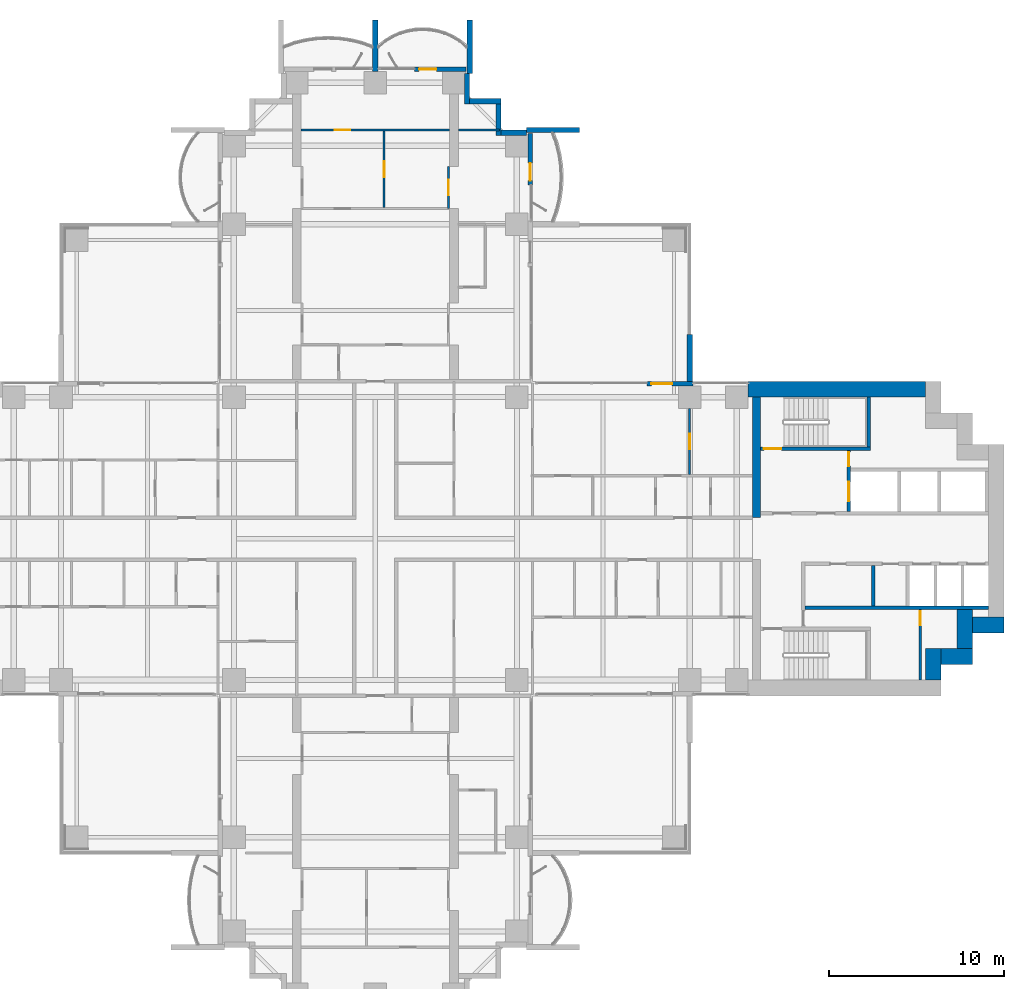
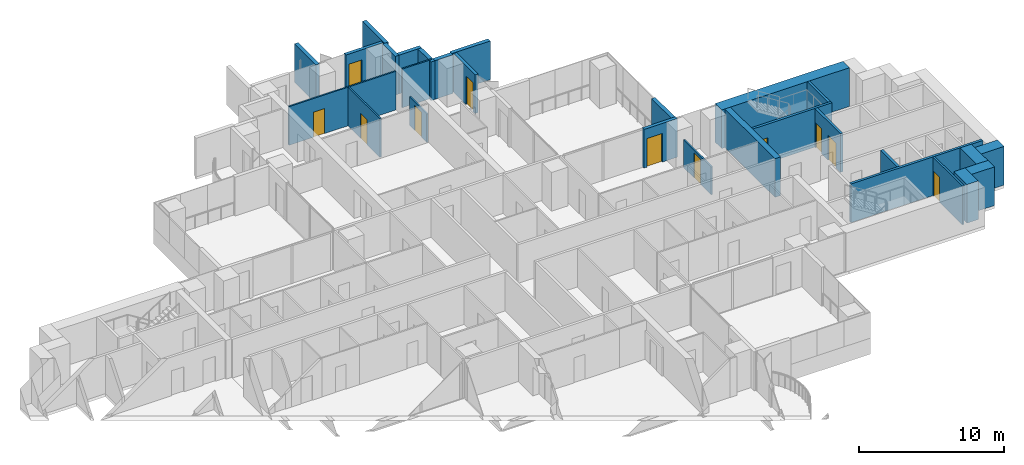
# One storey, part 15 of 20: 28 walls, 11 doors, 11 openings.
"""IFC4 building model written with IfcOpenShell, lengths in metres."""

from ifc_helpers import new_model, si_unit, direction, frame, frame_2d, origin, place, context, subcontext, project, spatial, rectangle, extrude, material, layer, layer_set, type_object, element, fill, save


model = new_model("IFC4")

# Units and contexts
model_context = context("Model", 3, precision=1e-05, world=origin(), true_north=direction((0.0, 1.0)))
body_context = subcontext(model_context, "Body", "Model", "MODEL_VIEW")
ifc_project = project(units=[si_unit("LENGTHUNIT", "METRE"), si_unit("AREAUNIT", "SQUARE_METRE"), si_unit("VOLUMEUNIT", "CUBIC_METRE"), si_unit("PLANEANGLEUNIT", "RADIAN"), si_unit("MASSUNIT", "GRAM", prefix="KILO")], contexts=[model_context])

# Site, building, storey
site_placement = place(None, origin())
site = spatial("IfcSite", under=ifc_project, at=site_placement, CompositionType="ELEMENT")
building_placement = place(site_placement, origin())
building = spatial("IfcBuilding", under=site, at=building_placement, Name="Perihelion Cross Residences", CompositionType="ELEMENT")
storey_placement = place(building_placement, frame((0.0, 0.0, 68.0)))
storey = spatial("IfcBuildingStorey", under=building, at=storey_placement, Name="L14", CompositionType="ELEMENT", Elevation=68.0)

# Wall, opening, door
ifc_material_1 = material(Name="Concrete C30/37, bronze-clad", Category="concrete")
ifc_layer_1 = layer(ifc_material_1, 0.25)
ifc_layer_set_1 = layer_set([ifc_layer_1], Name="Bronze-clad pier wall 250")
wall_type_1 = type_object("IfcWallType", Name="Bronze-clad pier wall 250", PredefinedType="SOLIDWALL", material=ifc_layer_set_1)
wall_1_placement = place(storey_placement, frame((18.199951171875, 8.875, 0.0), z_axis=(0.0, 0.0, 1.0), x_axis=(-1.0, 0.0, 0.0)))
wall_1 = element("IfcWall", 1, at=wall_1_placement, inside=storey, type_object=wall_type_1, Name="Wall FW1 L14 east side north bay 2 pier", PredefinedType="SOLIDWALL", context=body_context, shape_type="SweptSolid", body=[
    extrude(rectangle(XDim=2.64990234375, YDim=0.25, at=frame_2d((1.324951171875, 0.0))), origin(), (0.0, 0.0, 1.0), 3.25),
])
opening_1_placement = place(wall_1_placement, frame((1.199951171875, 0.0, 0.0)))
opening_1 = element("IfcOpeningElement", 2, at=opening_1_placement, cuts=wall_1, Name="Opening L14.E01", PredefinedType="OPENING", context=body_context, shape_type="SweptSolid", body=[
    extrude(rectangle(XDim=1.199951171875, YDim=2.39990234375, at=frame_2d((0.60009765625, 1.199951171875))), frame((0.0, 0.135009765625, 0.0), z_axis=(0.0, -1.0, 0.0), x_axis=(1.0, 0.0, 0.0)), (0.0, 0.0, 1.0), 0.27001953125),
])
ifc_material_2 = material(Name="Bronze anodised aluminium, glazed", Category="aluminium")
door_type_1 = type_object("IfcDoorType", Name="Balcony door 1200 x 2400", OperationType="NOTDEFINED", PredefinedType="DOOR", material=ifc_material_2)
door_1_placement = place(opening_1_placement, origin())
door_1 = element("IfcDoor", 3, at=door_1_placement, inside=storey, type_object=door_type_1, Name="Door L14.E01 east side north bay 2", OperationType="SINGLE_SWING_RIGHT", OverallHeight=2.39990234375, OverallWidth=1.199951171875, PredefinedType="DOOR", context=body_context, shape_type="SweptSolid", body=[
    extrude(rectangle(XDim=1.199951171875, YDim=2.39990234375, at=frame_2d((0.60009765625, 1.199951171875))), frame((0.0, 0.02490234375, 0.0), z_axis=(0.0, -1.0, 0.0), x_axis=(1.0, 0.0, 0.0)), (0.0, 0.0, 1.0), 0.050048828125),
])
fill(opening_1, door_1)

wall_2_placement = place(storey_placement, frame((8.875, 20.25, 0.0), z_axis=(0.0, 0.0, 1.0), x_axis=(0.0, 1.0, 0.0)))
wall_2 = element("IfcWall", 4, at=wall_2_placement, inside=storey, type_object=wall_type_1, Name="Wall FW1 L14 north side east bay 2 pier", PredefinedType="SOLIDWALL", context=body_context, shape_type="SweptSolid", body=[
    extrude(rectangle(XDim=2.949951171875, YDim=0.25, at=frame_2d((1.47509765625, 0.0))), origin(), (0.0, 0.0, 1.0), 3.25),
])
opening_2_placement = place(wall_2_placement, frame((0.25, 0.0, 0.0)))
opening_2 = element("IfcOpeningElement", 5, at=opening_2_placement, cuts=wall_2, Name="Opening L14.E03", PredefinedType="OPENING", context=body_context, shape_type="SweptSolid", body=[
    extrude(rectangle(XDim=1.0, YDim=2.39990234375, at=frame_2d((0.5, 1.199951171875))), frame((0.0, 0.135009765625, 0.0), z_axis=(0.0, -1.0, 0.0), x_axis=(1.0, 0.0, 0.0)), (0.0, 0.0, 1.0), 0.27001953125),
])
ifc_material_3 = material(Name="Bronze anodised aluminium, glazed", Category="aluminium")
door_type_2 = type_object("IfcDoorType", Name="Balcony door 1000 x 2400", OperationType="NOTDEFINED", PredefinedType="DOOR", material=ifc_material_3)
door_2_placement = place(opening_2_placement, origin())
door_2 = element("IfcDoor", 6, at=door_2_placement, inside=storey, type_object=door_type_2, Name="Door L14.E03 north side east bay 2", OperationType="SINGLE_SWING_RIGHT", OverallHeight=2.39990234375, OverallWidth=1.0, PredefinedType="DOOR", context=body_context, shape_type="SweptSolid", body=[
    extrude(rectangle(XDim=1.0, YDim=2.39990234375, at=frame_2d((0.5, 1.199951171875))), frame((0.0, 0.02490234375, 0.0), z_axis=(0.0, -1.0, 0.0), x_axis=(1.0, 0.0, 0.0)), (0.0, 0.0, 1.0), 0.050048828125),
])
fill(opening_2, door_2)

wall_3_placement = place(storey_placement, frame((5.199951171875, 26.875, 0.0), z_axis=(0.0, 0.0, 1.0), x_axis=(-1.0, 0.0, 0.0)))
wall_3 = element("IfcWall", 7, at=wall_3_placement, inside=storey, type_object=wall_type_1, Name="Wall FW1 L14 north tip north bay 1 pier", PredefinedType="SOLIDWALL", context=body_context, shape_type="SweptSolid", body=[
    extrude(rectangle(XDim=2.949951171875, YDim=0.25, at=frame_2d((1.47509765625, 0.0))), origin(), (0.0, 0.0, 1.0), 3.25),
])
opening_3_placement = place(wall_3_placement, frame((1.699951171875, 0.0, 0.0)))
opening_3 = element("IfcOpeningElement", 8, at=opening_3_placement, cuts=wall_3, Name="Opening L14.E04", PredefinedType="OPENING", context=body_context, shape_type="SweptSolid", body=[
    extrude(rectangle(XDim=1.0, YDim=2.39990234375, at=frame_2d((0.5, 1.199951171875))), frame((0.0, 0.135009765625, 0.0), z_axis=(0.0, -1.0, 0.0), x_axis=(1.0, 0.0, 0.0)), (0.0, 0.0, 1.0), 0.27001953125),
])
door_3_placement = place(opening_3_placement, origin())
door_3 = element("IfcDoor", 9, at=door_3_placement, inside=storey, type_object=door_type_2, Name="Door L14.E04 north tip north bay 1", OperationType="SINGLE_SWING_LEFT", OverallHeight=2.39990234375, OverallWidth=1.0, PredefinedType="DOOR", context=body_context, shape_type="SweptSolid", body=[
    extrude(rectangle(XDim=1.0, YDim=2.39990234375, at=frame_2d((0.5, 1.199951171875))), frame((0.0, 0.02490234375, 0.0), z_axis=(0.0, -1.0, 0.0), x_axis=(1.0, 0.0, 0.0)), (0.0, 0.0, 1.0), 0.050048828125),
])
fill(opening_3, door_3)

# Walls
ifc_material_4 = material(Name="Concrete C30/37, bronze-clad", Category="concrete")
ifc_layer_2 = layer(ifc_material_4, 0.300048828125)
ifc_layer_set_2 = layer_set([ifc_layer_2], Name="Bronze-clad serration wall 300")
wall_type_2 = type_object("IfcWallType", Name="Bronze-clad serration wall 300", PredefinedType="SOLIDWALL", material=ifc_layer_set_2)
wall_4_placement = place(storey_placement, frame((8.64990234375, 23.25, 0.0), z_axis=(0.0, 0.0, 1.0), x_axis=(-1.0, 0.0, 0.0)))
element("IfcWall", 10, at=wall_4_placement, inside=storey, type_object=wall_type_2, Name="Wall SR1 L14 north corner north-east 1", PredefinedType="SOLIDWALL", context=body_context, shape_type="SweptSolid", body=[
    extrude(rectangle(XDim=1.449951171875, YDim=0.300048828125, at=frame_2d((0.72509765625, 0.0))), origin(), (0.0, 0.0, 1.0), 3.25),
])
wall_5_placement = place(storey_placement, frame((7.050048828125, 23.10009765625, 0.0), z_axis=(0.0, 0.0, 1.0), x_axis=(0.0, 1.0, 0.0)))
element("IfcWall", 11, at=wall_5_placement, inside=storey, type_object=wall_type_2, Name="Wall SR1 L14 north corner north-east 2", PredefinedType="SOLIDWALL", context=body_context, shape_type="SweptSolid", body=[
    extrude(rectangle(XDim=1.7998046875, YDim=0.300048828125, at=frame_2d((0.89990234375, 0.0))), origin(), (0.0, 0.0, 1.0), 3.25),
])
wall_6_placement = place(storey_placement, frame((7.199951171875, 25.050048828125, 0.0), z_axis=(0.0, 0.0, 1.0), x_axis=(-1.0, 0.0, 0.0)))
element("IfcWall", 12, at=wall_6_placement, inside=storey, type_object=wall_type_2, Name="Wall SR1 L14 north corner north-east 3", PredefinedType="SOLIDWALL", context=body_context, shape_type="SweptSolid", body=[
    extrude(rectangle(XDim=1.800048828125, YDim=0.300048828125, at=frame_2d((0.89990234375, 0.0))), origin(), (0.0, 0.0, 1.0), 3.25),
])
wall_7_placement = place(storey_placement, frame((5.25, 24.89990234375, 0.0), z_axis=(0.0, 0.0, 1.0), x_axis=(0.0, 1.0, 0.0)))
element("IfcWall", 13, at=wall_7_placement, inside=storey, type_object=wall_type_2, Name="Wall SR1 L14 north corner north-east 4", PredefinedType="SOLIDWALL", context=body_context, shape_type="SweptSolid", body=[
    extrude(rectangle(XDim=1.75, YDim=0.300048828125, at=frame_2d((0.875, 0.0))), origin(), (0.0, 0.0, 1.0), 3.25),
])
ifc_material_5 = material(Name="Concrete C60/75", Category="concrete")
ifc_layer_3 = layer(ifc_material_5, 0.449951171875)
ifc_layer_set_3 = layer_set([ifc_layer_3], Name="Core wall, inner 450")
wall_type_3 = type_object("IfcWallType", Name="Core wall, inner 450", PredefinedType="SHEAR", material=ifc_layer_set_3)
wall_8_placement = place(storey_placement, frame((21.824951171875, 1.199951171875, 0.0), z_axis=(0.0, 0.0, 1.0), x_axis=(0.0, 1.0, 0.0)))
element("IfcWall", 14, at=wall_8_placement, inside=storey, type_object=wall_type_3, Name="East core core wall, inner", PredefinedType="SHEAR", context=body_context, shape_type="SweptSolid", body=[
    extrude(rectangle(XDim=6.900146484375, YDim=0.449951171875, at=frame_2d((3.4501953125, 0.0))), origin(), (0.0, 0.0, 1.0), 3.25),
])
ifc_material_6 = material(Name="Concrete C60/75", Category="concrete")
ifc_layer_4 = layer(ifc_material_6, 0.89990234375)
ifc_layer_set_4 = layer_set([ifc_layer_4], Name="Core wall, outer 900")
wall_type_4 = type_object("IfcWallType", Name="Core wall, outer 900", PredefinedType="SHEAR", material=ifc_layer_set_4)
for number, where, z_axis, x_axis, name in (
    (15, (31.949951171875, -8.10009765625, 0.0), (0.0, 0.0, 1.0), (0.0, 1.0, 0.0), "East core core wall, outer"),
    (16, (32.39990234375, -6.75, 0.0), (0.0, 0.0, 1.0), (1.0, 0.0, 0.0), "East core core wall, outer"),
):
    element("IfcWall", number, at=place(storey_placement, frame(where, z_axis=z_axis, x_axis=x_axis)), inside=storey, type_object=wall_type_4, Name=name, PredefinedType="SHEAR", context=body_context, shape_type="SweptSolid", body=[
        extrude(rectangle(XDim=1.800048828125, YDim=0.89990234375, at=frame_2d((0.89990234375, 0.0))), origin(), (0.0, 0.0, 1.0), 3.25),
    ])
wall_9_placement = place(storey_placement, frame((33.75, -6.300048828125, 0.0), z_axis=(0.0, 0.0, 1.0), x_axis=(0.0, 1.0, 0.0)))
element("IfcWall", 17, at=wall_9_placement, inside=storey, type_object=wall_type_4, Name="East core core wall, outer", PredefinedType="SHEAR", context=body_context, shape_type="SweptSolid", body=[
    extrude(rectangle(XDim=2.25, YDim=0.89990234375, at=frame_2d((1.125, 0.0))), origin(), (0.0, 0.0, 1.0), 3.25),
])
wall_10_placement = place(storey_placement, frame((34.199951171875, -4.949951171875, 0.0), z_axis=(0.0, 0.0, 1.0), x_axis=(1.0, 0.0, 0.0)))
element("IfcWall", 18, at=wall_10_placement, inside=storey, type_object=wall_type_4, Name="East core core wall, outer", PredefinedType="SHEAR", context=body_context, shape_type="SweptSolid", body=[
    extrude(rectangle(XDim=1.800048828125, YDim=0.89990234375, at=frame_2d((0.89990234375, 0.0))), origin(), (0.0, 0.0, 1.0), 3.25),
])
wall_11_placement = place(storey_placement, frame((21.35009765625, 8.550048828125, 0.0), z_axis=(0.0, 0.0, 1.0), x_axis=(1.0, 0.0, 0.0)))
element("IfcWall", 19, at=wall_11_placement, inside=storey, type_object=wall_type_4, Name="East core core wall, outer", PredefinedType="SHEAR", context=body_context, shape_type="SweptSolid", body=[
    extrude(rectangle(XDim=10.14990234375, YDim=0.89990234375, at=frame_2d((5.074951171875, 0.0))), origin(), (0.0, 0.0, 1.0), 3.25),
])

# Wall, opening, door
ifc_material_7 = material(Name="Plasterboard partition")
ifc_layer_5 = layer(ifc_material_7, 0.1201171875)
ifc_layer_set_5 = layer_set([ifc_layer_5], Name="Infill panel 120")
wall_type_5 = type_object("IfcWallType", Name="Infill panel 120", PredefinedType="PARTITIONING", material=ifc_layer_set_5)
wall_12_placement = place(storey_placement, frame((4.18994140625, 18.89990234375, 0.0), z_axis=(0.0, 0.0, 1.0), x_axis=(0.0, 1.0, 0.0)))
wall_12 = element("IfcWall", 20, at=wall_12_placement, inside=storey, type_object=wall_type_5, Name="Partition L14 WI02", PredefinedType="PARTITIONING", context=body_context, shape_type="SweptSolid", body=[
    extrude(rectangle(XDim=2.400146484375, YDim=0.1201171875, at=frame_2d((1.2001953125, 0.0))), origin(), (0.0, 0.0, 1.0), 2.39990234375),
])
opening_4_placement = place(wall_12_placement, frame((0.75, 0.0, 0.0)))
opening_4 = element("IfcOpeningElement", 21, at=opening_4_placement, cuts=wall_12, Name="Opening L14.A51", PredefinedType="OPENING", context=body_context, shape_type="SweptSolid", body=[
    extrude(rectangle(XDim=0.89990234375, YDim=2.10009765625, at=frame_2d((0.449951171875, 1.050048828125))), frame((0.0, 0.070068359375, 0.0), z_axis=(0.0, -1.0, 0.0), x_axis=(1.0, 0.0, 0.0)), (0.0, 0.0, 1.0), 0.14013671875),
])
ifc_material_8 = material(Name="Timber door leaf", Category="wood")
door_type_3 = type_object("IfcDoorType", Name="Interior room door 900 x 2100", OperationType="SINGLE_SWING_LEFT", PredefinedType="DOOR", material=ifc_material_8)
door_4_placement = place(opening_4_placement, origin())
door_4 = element("IfcDoor", 22, at=door_4_placement, inside=storey, type_object=door_type_3, Name="Door L14.A51", OperationType="SINGLE_SWING_LEFT", OverallHeight=2.10009765625, OverallWidth=0.89990234375, PredefinedType="DOOR", context=body_context, shape_type="SweptSolid", body=[
    extrude(rectangle(XDim=0.89990234375, YDim=2.10009765625, at=frame_2d((0.449951171875, 1.050048828125))), frame((0.0, 0.02490234375, 0.0), z_axis=(0.0, -1.0, 0.0), x_axis=(1.0, 0.0, 0.0)), (0.0, 0.0, 1.0), 0.050048828125),
])
fill(opening_4, door_4)

ifc_material_9 = material(Name="Plasterboard partition")
ifc_layer_6 = layer(ifc_material_9, 0.1201171875)
ifc_layer_set_6 = layer_set([ifc_layer_6], Name="Partition wall 120")
wall_type_6 = type_object("IfcWallType", Name="Partition wall 120", PredefinedType="PARTITIONING", material=ifc_layer_set_6)
wall_13_placement = place(storey_placement, frame((18.0, 7.449951171875, 0.0), z_axis=(0.0, 0.0, 1.0), x_axis=(0.0, -1.0, 0.0)))
wall_13 = element("IfcWall", 23, at=wall_13_placement, inside=storey, type_object=wall_type_6, Name="Partition L14 W017", PredefinedType="PARTITIONING", context=body_context, shape_type="SweptSolid", body=[
    extrude(rectangle(XDim=3.7900390625, YDim=0.1201171875, at=frame_2d((1.89501953125, 0.0))), origin(), (0.0, 0.0, 1.0), 2.345947265625),
])
opening_5_placement = place(wall_13_placement, frame((1.445068359375, 0.0, 0.0)))
opening_5 = element("IfcOpeningElement", 24, at=opening_5_placement, cuts=wall_13, Name="Opening L14.A01", PredefinedType="OPENING", context=body_context, shape_type="SweptSolid", body=[
    extrude(rectangle(XDim=0.89990234375, YDim=2.10009765625, at=frame_2d((0.449951171875, 1.050048828125))), frame((0.0, 0.070068359375, 0.0), z_axis=(0.0, -1.0, 0.0), x_axis=(1.0, 0.0, 0.0)), (0.0, 0.0, 1.0), 0.14013671875),
])
door_5_placement = place(opening_5_placement, origin())
door_5 = element("IfcDoor", 25, at=door_5_placement, inside=storey, type_object=door_type_3, Name="Door L14.A01", OperationType="SINGLE_SWING_LEFT", OverallHeight=2.10009765625, OverallWidth=0.89990234375, PredefinedType="DOOR", context=body_context, shape_type="SweptSolid", body=[
    extrude(rectangle(XDim=0.89990234375, YDim=2.10009765625, at=frame_2d((0.449951171875, 1.050048828125))), frame((0.0, 0.02490234375, 0.0), z_axis=(0.0, -1.0, 0.0), x_axis=(1.0, 0.0, 0.0)), (0.0, 0.0, 1.0), 0.050048828125),
])
fill(opening_5, door_5)

wall_14_placement = place(storey_placement, frame((0.5, 23.340087890625, 0.0), z_axis=(0.0, 0.0, 1.0), x_axis=(0.0, -1.0, 0.0)))
wall_14 = element("IfcWall", 26, at=wall_14_placement, inside=storey, type_object=wall_type_6, Name="Partition L14 W057", PredefinedType="PARTITIONING", context=body_context, shape_type="SweptSolid", body=[
    extrude(rectangle(XDim=4.380126953125, YDim=0.1201171875, at=frame_2d((2.18994140625, 0.0))), origin(), (0.0, 0.0, 1.0), 3.25),
])
opening_6_placement = place(wall_14_placement, frame((1.739990234375, 0.0, 0.0)))
opening_6 = element("IfcOpeningElement", 27, at=opening_6_placement, cuts=wall_14, Name="Opening L14.A36", PredefinedType="OPENING", context=body_context, shape_type="SweptSolid", body=[
    extrude(rectangle(XDim=0.89990234375, YDim=2.10009765625, at=frame_2d((0.449951171875, 1.050048828125))), frame((0.0, 0.070068359375, 0.0), z_axis=(0.0, -1.0, 0.0), x_axis=(1.0, 0.0, 0.0)), (0.0, 0.0, 1.0), 0.14013671875),
])
door_6_placement = place(opening_6_placement, origin())
door_6 = element("IfcDoor", 28, at=door_6_placement, inside=storey, type_object=door_type_3, Name="Door L14.A36", OperationType="SINGLE_SWING_LEFT", OverallHeight=2.10009765625, OverallWidth=0.89990234375, PredefinedType="DOOR", context=body_context, shape_type="SweptSolid", body=[
    extrude(rectangle(XDim=0.89990234375, YDim=2.10009765625, at=frame_2d((0.449951171875, 1.050048828125))), frame((0.0, 0.02490234375, 0.0), z_axis=(0.0, -1.0, 0.0), x_axis=(1.0, 0.0, 0.0)), (0.0, 0.0, 1.0), 0.050048828125),
])
fill(opening_6, door_6)

wall_15_placement = place(storey_placement, frame((-4.25, 23.39990234375, 0.0), z_axis=(0.0, 0.0, 1.0), x_axis=(1.0, 0.0, 0.0)))
wall_15 = element("IfcWall", 29, at=wall_15_placement, inside=storey, type_object=wall_type_6, Name="Partition L14 W058", PredefinedType="PARTITIONING", context=body_context, shape_type="SweptSolid", body=[
    extrude(rectangle(XDim=8.5, YDim=0.1201171875, at=frame_2d((4.25, 0.0))), origin(), (0.0, 0.0, 1.0), 3.25),
])
opening_7_placement = place(wall_15_placement, frame((1.925048828125, 0.0, 0.0)))
opening_7 = element("IfcOpeningElement", 30, at=opening_7_placement, cuts=wall_15, Name="Opening L14.A37", PredefinedType="OPENING", context=body_context, shape_type="SweptSolid", body=[
    extrude(rectangle(XDim=0.89990234375, YDim=2.10009765625, at=frame_2d((0.449951171875, 1.050048828125))), frame((0.0, 0.070068359375, 0.0), z_axis=(0.0, -1.0, 0.0), x_axis=(1.0, 0.0, 0.0)), (0.0, 0.0, 1.0), 0.14013671875),
])
door_7_placement = place(opening_7_placement, origin())
door_7 = element("IfcDoor", 31, at=door_7_placement, inside=storey, type_object=door_type_3, Name="Door L14.A37", OperationType="SINGLE_SWING_LEFT", OverallHeight=2.10009765625, OverallWidth=0.89990234375, PredefinedType="DOOR", context=body_context, shape_type="SweptSolid", body=[
    extrude(rectangle(XDim=0.89990234375, YDim=2.10009765625, at=frame_2d((0.449951171875, 1.050048828125))), frame((0.0, 0.02490234375, 0.0), z_axis=(0.0, -1.0, 0.0), x_axis=(1.0, 0.0, 0.0)), (0.0, 0.0, 1.0), 0.050048828125),
])
fill(opening_7, door_7)

# Walls
wall_16_placement = place(storey_placement, frame((4.75, 23.39990234375, 0.0), z_axis=(0.0, 0.0, 1.0), x_axis=(1.0, 0.0, 0.0)))
element("IfcWall", 32, at=wall_16_placement, inside=storey, type_object=wall_type_6, Name="Partition L14 W063", PredefinedType="PARTITIONING", context=body_context, shape_type="SweptSolid", body=[
    extrude(rectangle(XDim=2.3701171875, YDim=0.1201171875, at=frame_2d((1.18505859375, 0.0))), origin(), (0.0, 0.0, 1.0), 3.25),
])
ifc_material_10 = material(Name="Precast concrete C50/60", Category="concrete")
ifc_layer_7 = layer(ifc_material_10, 0.300048828125)
ifc_layer_set_7 = layer_set([ifc_layer_7], Name="Precast concrete C50/60 blade wall 300")
wall_type_7 = type_object("IfcWallType", Name="Precast concrete C50/60 blade wall 300", PredefinedType="SOLIDWALL", material=ifc_layer_set_7)
wall_17_placement = place(storey_placement, frame((0.0, 26.75, 0.0), z_axis=(0.0, 0.0, 1.0), x_axis=(0.0, 1.0, 0.0)))
element("IfcWall", 33, at=wall_17_placement, inside=storey, type_object=wall_type_7, Name="Wall BL1 L14 no. 10", PredefinedType="SOLIDWALL", context=body_context, shape_type="SweptSolid", body=[
    extrude(rectangle(XDim=2.949951171875, YDim=0.300048828125, at=frame_2d((1.47509765625, 0.0))), origin(), (0.0, 0.0, 1.0), 3.25),
])
for number, where, z_axis, x_axis, name in (
    (34, (5.39990234375, 26.64990234375, 0.0), (0.0, 0.0, 1.0), (0.0, 1.0, 0.0), "Wall BL1 L14 no. 14"),
    (35, (8.64990234375, 23.39990234375, 0.0), (0.0, 0.0, 1.0), (1.0, 0.0, 0.0), "Wall BL1 L14 no. 18"),
):
    element("IfcWall", number, at=place(storey_placement, frame(where, z_axis=z_axis, x_axis=x_axis)), inside=storey, type_object=wall_type_7, Name=name, PredefinedType="SOLIDWALL", context=body_context, shape_type="SweptSolid", body=[
        extrude(rectangle(XDim=3.050048828125, YDim=0.300048828125, at=frame_2d((1.52490234375, 0.0))), origin(), (0.0, 0.0, 1.0), 3.25),
    ])
wall_18_placement = place(storey_placement, frame((18.0, 8.75, 0.0), z_axis=(0.0, 0.0, 1.0), x_axis=(0.0, 1.0, 0.0)))
element("IfcWall", 36, at=wall_18_placement, inside=storey, type_object=wall_type_7, Name="Wall BL1 L14 no. 12", PredefinedType="SOLIDWALL", context=body_context, shape_type="SweptSolid", body=[
    extrude(rectangle(XDim=2.949951171875, YDim=0.300048828125, at=frame_2d((1.47509765625, 0.0))), origin(), (0.0, 0.0, 1.0), 3.25),
])

# Wall, opening, door
ifc_material_11 = material(Name="Fire-rated board on steel stud", Category="steel")
ifc_layer_8 = layer(ifc_material_11, 0.14990234375)
ifc_layer_set_8 = layer_set([ifc_layer_8], Name="Riser wall 150")
wall_type_8 = type_object("IfcWallType", Name="Riser wall 150", PredefinedType="PARTITIONING", material=ifc_layer_set_8)
wall_19_placement = place(storey_placement, frame((31.199951171875, -8.10009765625, 0.0), z_axis=(0.0, 0.0, 1.0), x_axis=(0.0, 1.0, 0.0)))
wall_19 = element("IfcWall", 37, at=wall_19_placement, inside=storey, type_object=wall_type_8, Name="East core riser wall", PredefinedType="PARTITIONING", context=body_context, shape_type="SweptSolid", body=[
    extrude(rectangle(XDim=4.050048828125, YDim=0.14990234375, at=frame_2d((2.02490234375, 0.0))), origin(), (0.0, 0.0, 1.0), 3.25),
])
opening_8_placement = place(wall_19_placement, frame((3.14990234375, 0.0, 0.0)))
opening_8 = element("IfcOpeningElement", 38, at=opening_8_placement, cuts=wall_19, Name="Opening L14.C13", PredefinedType="OPENING", context=body_context, shape_type="SweptSolid", body=[
    extrude(rectangle(XDim=0.800048828125, YDim=2.10009765625, at=frame_2d((0.39990234375, 1.050048828125))), frame((0.0, 0.0849609375, 0.0), z_axis=(0.0, -1.0, 0.0), x_axis=(1.0, 0.0, 0.0)), (0.0, 0.0, 1.0), 0.169921875),
])
ifc_material_12 = material(Name="Steel, powder coated", Category="steel")
door_type_4 = type_object("IfcDoorType", Name="Riser door 800", OperationType="SINGLE_SWING_LEFT", PredefinedType="DOOR", material=ifc_material_12)
door_8_placement = place(opening_8_placement, origin())
door_8 = element("IfcDoor", 39, at=door_8_placement, inside=storey, type_object=door_type_4, Name="East core riser door", OperationType="SINGLE_SWING_LEFT", OverallHeight=2.10009765625, OverallWidth=0.800048828125, PredefinedType="DOOR", context=body_context, shape_type="SweptSolid", body=[
    extrude(rectangle(XDim=0.800048828125, YDim=2.10009765625, at=frame_2d((0.39990234375, 1.050048828125))), frame((0.0, 0.02490234375, 0.0), z_axis=(0.0, -1.0, 0.0), x_axis=(1.0, 0.0, 0.0)), (0.0, 0.0, 1.0), 0.050048828125),
])
fill(opening_8, door_8)

# Walls
ifc_material_13 = material(Name="Fire-rated board on steel stud", Category="steel")
ifc_layer_9 = layer(ifc_material_13, 0.199951171875)
ifc_layer_set_9 = layer_set([ifc_layer_9], Name="Riser wall 200")
wall_type_9 = type_object("IfcWallType", Name="Riser wall 200", PredefinedType="PARTITIONING", material=ifc_layer_set_9)
wall_20_placement = place(storey_placement, frame((28.5, -3.85009765625, 0.0), z_axis=(0.0, 0.0, 1.0), x_axis=(0.0, 1.0, 0.0)))
element("IfcWall", 40, at=wall_20_placement, inside=storey, type_object=wall_type_9, Name="East core riser wall", PredefinedType="PARTITIONING", context=body_context, shape_type="SweptSolid", body=[
    extrude(rectangle(XDim=2.300048828125, YDim=0.199951171875, at=frame_2d((1.14990234375, 0.0))), origin(), (0.0, 0.0, 1.0), 3.25),
])
ifc_material_14 = material(Name="Concrete C50/60", Category="concrete")
ifc_layer_10 = layer(ifc_material_14, 0.199951171875)
ifc_layer_set_10 = layer_set([ifc_layer_10], Name="Shaft wall 200")
wall_type_10 = type_object("IfcWallType", Name="Shaft wall 200", PredefinedType="SOLIDWALL", material=ifc_layer_set_10)
wall_21_placement = place(storey_placement, frame((24.60009765625, -3.949951171875, 0.0), z_axis=(0.0, 0.0, 1.0), x_axis=(1.0, 0.0, 0.0)))
element("IfcWall", 41, at=wall_21_placement, inside=storey, type_object=wall_type_10, Name="East core shaft wall", PredefinedType="SOLIDWALL", context=body_context, shape_type="SweptSolid", body=[
    extrude(rectangle(XDim=10.5, YDim=0.199951171875, at=frame_2d((5.25, 0.0))), origin(), (0.0, 0.0, 1.0), 3.25),
])

# Wall, openings, doors
wall_22_placement = place(storey_placement, frame((27.10009765625, 1.550048828125, 0.0), z_axis=(0.0, 0.0, 1.0), x_axis=(0.0, 1.0, 0.0)))
wall_22 = element("IfcWall", 42, at=wall_22_placement, inside=storey, type_object=wall_type_10, Name="East core shaft wall", PredefinedType="SOLIDWALL", context=body_context, shape_type="SweptSolid", body=[
    extrude(rectangle(XDim=3.5, YDim=0.199951171875, at=frame_2d((1.75, 0.0))), origin(), (0.0, 0.0, 1.0), 3.25),
])
opening_9_placement = place(wall_22_placement, frame((0.60009765625, 0.0, 0.0)))
opening_9 = element("IfcOpeningElement", 43, at=opening_9_placement, cuts=wall_22, Name="Opening L14.C01", PredefinedType="OPENING", context=body_context, shape_type="SweptSolid", body=[
    extrude(rectangle(XDim=1.10009765625, YDim=2.10009765625, at=frame_2d((0.550048828125, 1.050048828125))), frame((0.0, 0.10986328125, 0.0), z_axis=(0.0, -1.0, 0.0), x_axis=(1.0, 0.0, 0.0)), (0.0, 0.0, 1.0), 0.219970703125),
])
opening_10_placement = place(wall_22_placement, frame((2.60009765625, 0.0, 0.0)))
opening_10 = element("IfcOpeningElement", 44, at=opening_10_placement, cuts=wall_22, Name="Opening L14.C11", PredefinedType="OPENING", context=body_context, shape_type="SweptSolid", body=[
    extrude(rectangle(XDim=0.800048828125, YDim=2.10009765625, at=frame_2d((0.39990234375, 1.050048828125))), frame((0.0, 0.10986328125, 0.0), z_axis=(0.0, -1.0, 0.0), x_axis=(1.0, 0.0, 0.0)), (0.0, 0.0, 1.0), 0.219970703125),
])
ifc_material_15 = material(Name="Stainless steel", Category="steel")
door_type_5 = type_object("IfcDoorType", Name="Landing door, firefighting lift 1100", OperationType="DOUBLE_DOOR_SLIDING", PredefinedType="DOOR", material=ifc_material_15)
door_9_placement = place(opening_9_placement, origin())
door_9 = element("IfcDoor", 45, at=door_9_placement, inside=storey, type_object=door_type_5, Name="Landing door, East core firefighting and service lift", OperationType="DOUBLE_DOOR_SLIDING", OverallHeight=2.10009765625, OverallWidth=1.10009765625, PredefinedType="DOOR", context=body_context, shape_type="SweptSolid", body=[
    extrude(rectangle(XDim=1.10009765625, YDim=2.10009765625, at=frame_2d((0.550048828125, 1.050048828125))), frame((0.0, 0.02490234375, 0.0), z_axis=(0.0, -1.0, 0.0), x_axis=(1.0, 0.0, 0.0)), (0.0, 0.0, 1.0), 0.050048828125),
])
fill(opening_9, door_9)
door_10_placement = place(opening_10_placement, origin())
door_10 = element("IfcDoor", 46, at=door_10_placement, inside=storey, type_object=door_type_4, Name="East core riser door", OperationType="SINGLE_SWING_LEFT", OverallHeight=2.10009765625, OverallWidth=0.800048828125, PredefinedType="DOOR", context=body_context, shape_type="SweptSolid", body=[
    extrude(rectangle(XDim=0.800048828125, YDim=2.10009765625, at=frame_2d((0.39990234375, 1.050048828125))), frame((0.0, 0.02490234375, 0.0), z_axis=(0.0, -1.0, 0.0), x_axis=(1.0, 0.0, 0.0)), (0.0, 0.0, 1.0), 0.050048828125),
])
fill(opening_10, door_10)

# Wall, opening, door
ifc_material_16 = material(Name="Concrete C50/60", Category="concrete")
ifc_layer_11 = layer(ifc_material_16, 0.199951171875)
ifc_layer_set_11 = layer_set([ifc_layer_11], Name="Stair wall 200")
wall_type_11 = type_object("IfcWallType", Name="Stair wall 200", PredefinedType="SOLIDWALL", material=ifc_layer_set_11)
wall_23_placement = place(storey_placement, frame((22.050048828125, 5.14990234375, 0.0), z_axis=(0.0, 0.0, 1.0), x_axis=(1.0, 0.0, 0.0)))
wall_23 = element("IfcWall", 47, at=wall_23_placement, inside=storey, type_object=wall_type_11, Name="East core stair wall", PredefinedType="SOLIDWALL", context=body_context, shape_type="SweptSolid", body=[
    extrude(rectangle(XDim=6.300048828125, YDim=0.199951171875, at=frame_2d((3.14990234375, 0.0))), origin(), (0.0, 0.0, 1.0), 3.25),
])
opening_11_placement = place(wall_23_placement, frame((0.199951171875, 0.0, 0.0)))
opening_11 = element("IfcOpeningElement", 48, at=opening_11_placement, cuts=wall_23, Name="Opening L14.C06", PredefinedType="OPENING", context=body_context, shape_type="SweptSolid", body=[
    extrude(rectangle(XDim=1.0, YDim=2.10009765625, at=frame_2d((0.5, 1.050048828125))), frame((0.0, 0.10986328125, 0.0), z_axis=(0.0, -1.0, 0.0), x_axis=(1.0, 0.0, 0.0)), (0.0, 0.0, 1.0), 0.219970703125),
])
ifc_material_17 = material(Name="Steel, powder coated", Category="steel")
door_type_6 = type_object("IfcDoorType", Name="Stair door 1000", OperationType="SINGLE_SWING_LEFT", PredefinedType="DOOR", material=ifc_material_17)
door_11_placement = place(opening_11_placement, origin())
door_11 = element("IfcDoor", 49, at=door_11_placement, inside=storey, type_object=door_type_6, Name="East core stair door", OperationType="SINGLE_SWING_LEFT", OverallHeight=2.10009765625, OverallWidth=1.0, PredefinedType="DOOR", context=body_context, shape_type="SweptSolid", body=[
    extrude(rectangle(XDim=1.0, YDim=2.10009765625, at=frame_2d((0.5, 1.050048828125))), frame((0.0, 0.02490234375, 0.0), z_axis=(0.0, -1.0, 0.0), x_axis=(1.0, 0.0, 0.0)), (0.0, 0.0, 1.0), 0.050048828125),
])
fill(opening_11, door_11)

# Wall
wall_24_placement = place(storey_placement, frame((28.25, 5.25, 0.0), z_axis=(0.0, 0.0, 1.0), x_axis=(0.0, 1.0, 0.0)))
element("IfcWall", 50, at=wall_24_placement, inside=storey, type_object=wall_type_11, Name="East core stair wall", PredefinedType="SOLIDWALL", context=body_context, shape_type="SweptSolid", body=[
    extrude(rectangle(XDim=2.85009765625, YDim=0.199951171875, at=frame_2d((1.425048828125, 0.0))), origin(), (0.0, 0.0, 1.0), 3.25),
])

save(model, "model.ifc")
